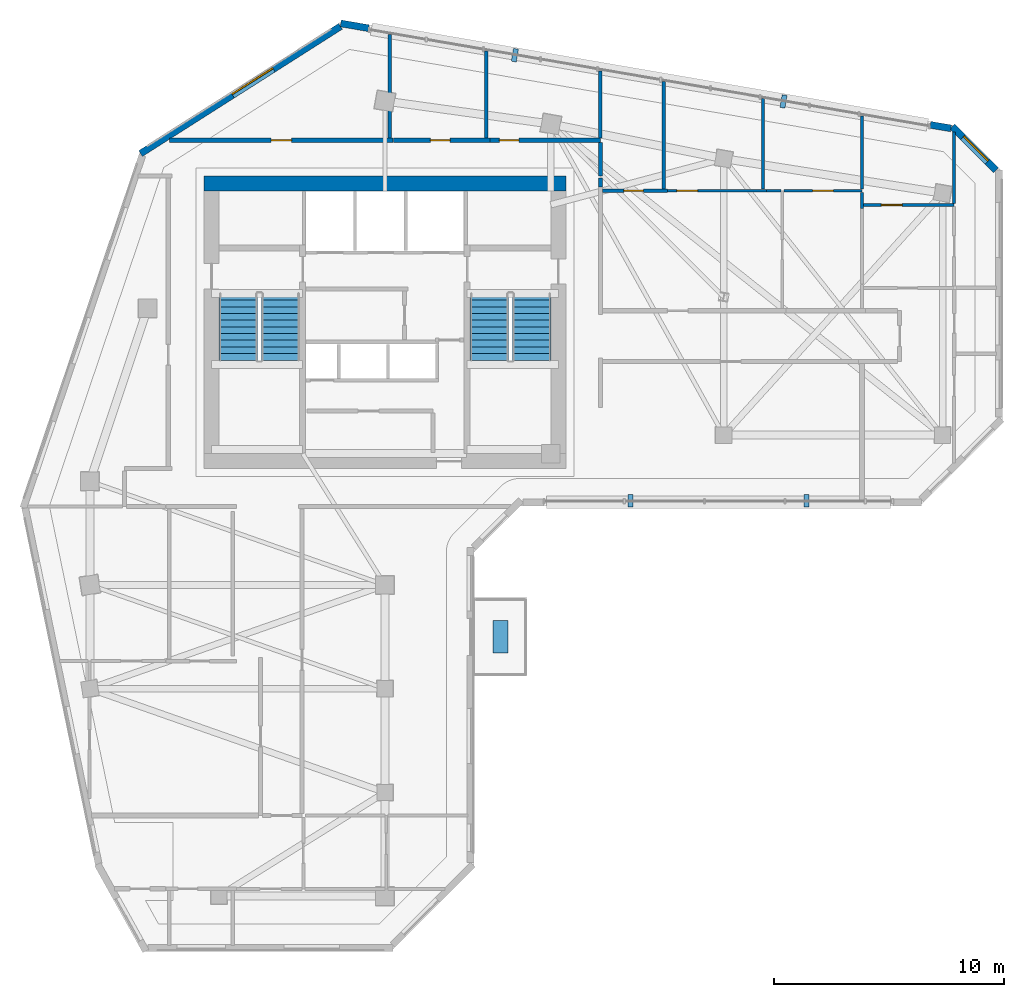
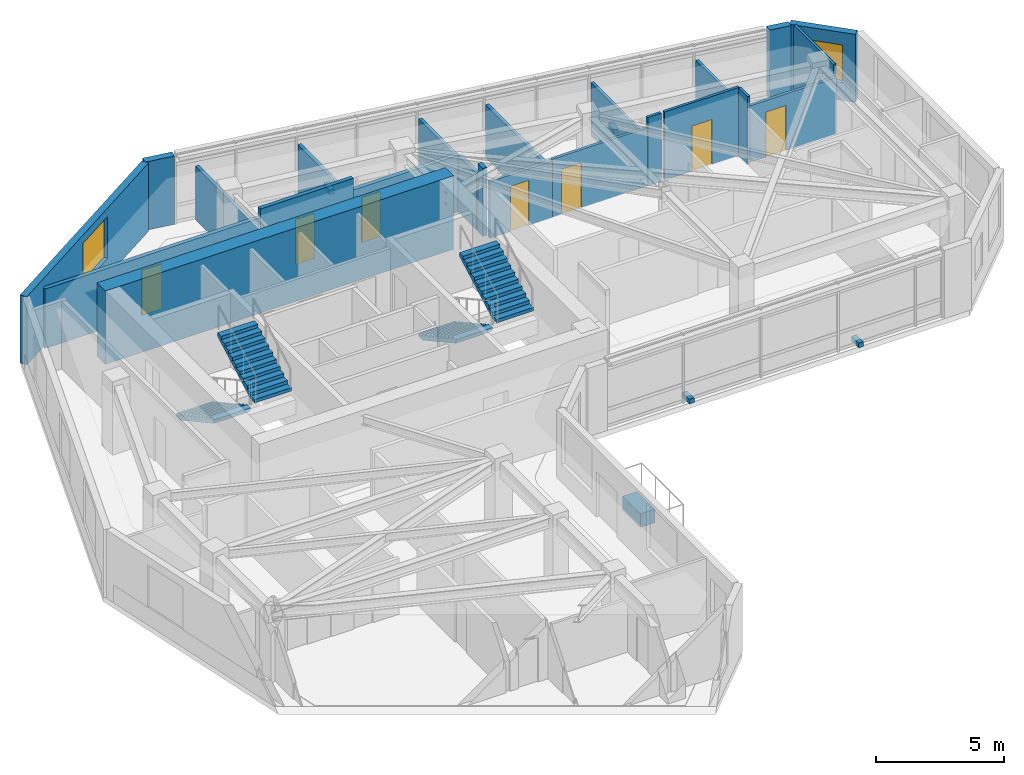
# One storey, part 7 of 10: 23 walls, 7 doors, 5 discrete accessories, 4 stair flights, 2 windows, 9 openings, 2 elements without a shape of their own.
"""IFC4 building model written with IfcOpenShell, lengths in metres."""

from ifc_helpers import new_model, si_unit, direction, frame, frame_2d, origin, origin_2d, place, context, subcontext, project, spatial, polyline, rectangle, outline, extrude, source, transform, mapped, material, layer, layer_set, type_object, element, fill, aggregate, save


model = new_model("IFC4")

# Units and contexts
model_context = context("Model", 3, precision=1e-05, world=origin(), true_north=direction((0.0, 1.0)))
body_context = subcontext(model_context, "Body", "Model", "MODEL_VIEW")
ifc_project = project(units=[si_unit("LENGTHUNIT", "METRE"), si_unit("AREAUNIT", "SQUARE_METRE"), si_unit("VOLUMEUNIT", "CUBIC_METRE"), si_unit("PLANEANGLEUNIT", "RADIAN"), si_unit("MASSUNIT", "GRAM", prefix="KILO")], contexts=[model_context])

# Site, building, storey
site_placement = place(None, origin())
site = spatial("IfcSite", under=ifc_project, at=site_placement, CompositionType="ELEMENT")
building_placement = place(site_placement, origin())
building = spatial("IfcBuilding", under=site, at=building_placement, Name="Calvemar Wedge Station Tower", CompositionType="ELEMENT")
storey_placement = place(building_placement, frame((0.0, 0.0, 193.89990234375)))
storey = spatial("IfcBuildingStorey", under=building, at=storey_placement, Name="L48", CompositionType="ELEMENT", Elevation=193.89990234375)

# Wall
ifc_material_1 = material(Name="Concrete C60", Category="concrete")
ifc_layer_1 = layer(ifc_material_1, 0.64990234375)
ifc_layer_set_1 = layer_set([ifc_layer_1], Name="Concrete C60")
wall_type_1 = type_object("IfcWallType", Name="SW-CORE-650", PredefinedType="SHEAR", material=ifc_layer_set_1)
wall_1_placement = place(storey_placement, frame((15.949951171875, 45.925048828125, 0.0), z_axis=(0.0, 0.0, 1.0), x_axis=(1.0, 0.0, 0.0)))
element("IfcWall", 1, at=wall_1_placement, inside=storey, type_object=wall_type_1, Name="Storey L48 Core Shear Wall N", PredefinedType="SHEAR", context=body_context, shape_type="SweptSolid", body=[
    extrude(rectangle(XDim=15.699951171875, YDim=0.64990234375, at=frame_2d((7.85009765625, 0.0))), origin(), (0.0, 0.0, 1.0), 3.5),
])

# Wall, opening, door
ifc_material_2 = material(Name="Double-stud fire-rated corridor partition")
ifc_layer_2 = layer(ifc_material_2, 0.179931640625)
ifc_layer_set_2 = layer_set([ifc_layer_2], Name="Double-stud fire-rated corridor partition")
wall_type_2 = type_object("IfcWallType", Name="W-CORR-180", PredefinedType="PARTITIONING", material=ifc_layer_set_2)
wall_2_placement = place(storey_placement, frame((14.45263671875, 47.800048828125, 0.0), z_axis=(0.0, 0.0, 1.0), x_axis=(1.0, 0.0, 0.0)))
wall_2 = element("IfcWall", 2, at=wall_2_placement, inside=storey, type_object=wall_type_2, Name="Storey L48 Interior Partition WL-L48-013", PredefinedType="PARTITIONING", context=body_context, shape_type="SweptSolid", body=[
    extrude(rectangle(XDim=9.707275390625, YDim=0.179931640625, at=frame_2d((4.853515625, 0.0))), origin(), (0.0, 0.0, 1.0), 2.835205078125),
])
shared_shape_1 = source(origin(), body_context, "Body", "SweptSolid", [
    extrude(rectangle(XDim=0.89990234375, YDim=2.14990234375, at=frame_2d((0.449951171875, 1.074951171875))), frame((0.0, 0.10009765625, 0.0), z_axis=(0.0, -1.0, 0.0), x_axis=(1.0, 0.0, 0.0)), (0.0, 0.0, 1.0), 0.199951171875),
])
opening_1_placement = place(wall_2_placement, frame((4.40380859375, 0.0, 0.0)))
opening_1 = element("IfcOpeningElement", 3, at=opening_1_placement, cuts=wall_2, Name="Opening D-01", PredefinedType="OPENING", context=body_context, shape_type="MappedRepresentation", body=[
    mapped(shared_shape_1, transform((0.0, 0.0, 0.0), scale=1.0)),
])
ifc_material_3 = material(Name="Architectural hardwood acoustic swing door", Category="wood")
door_type_1 = type_object("IfcDoorType", Name="DR-INT-900", OperationType="NOTDEFINED", PredefinedType="DOOR", material=ifc_material_3)
shared_shape_2 = source(origin(), body_context, "Body", "SweptSolid", [
    extrude(rectangle(XDim=0.89990234375, YDim=2.14990234375, at=frame_2d((0.449951171875, 1.074951171875))), frame((0.0, 0.02490234375, 0.0), z_axis=(0.0, -1.0, 0.0), x_axis=(1.0, 0.0, 0.0)), (0.0, 0.0, 1.0), 0.050048828125),
])
door_1_placement = place(opening_1_placement, origin())
door_1 = element("IfcDoor", 4, at=door_1_placement, inside=storey, type_object=door_type_1, Name="L48 Private Dining Room Door", OperationType="SINGLE_SWING_LEFT", OverallHeight=2.14990234375, OverallWidth=0.89990234375, PredefinedType="DOOR", context=body_context, shape_type="MappedRepresentation", body=[
    mapped(shared_shape_2, transform((0.0, 0.0, 0.0), scale=1.0)),
])
fill(opening_1, door_1)

wall_3_placement = place(storey_placement, frame((24.162109375, 47.800048828125, 0.0), z_axis=(0.0, 0.0, 1.0), x_axis=(1.0, 0.0, 0.0)))
wall_3 = element("IfcWall", 5, at=wall_3_placement, inside=storey, type_object=wall_type_2, Name="Storey L48 Interior Partition WL-L48-014", PredefinedType="PARTITIONING", context=body_context, shape_type="SweptSolid", body=[
    extrude(rectangle(XDim=4.197998046875, YDim=0.179931640625, at=frame_2d((2.09912109375, 0.0))), origin(), (0.0, 0.0, 1.0), 3.25),
])
shared_shape_3 = source(origin(), body_context, "Body", "SweptSolid", [
    extrude(rectangle(XDim=0.85009765625, YDim=2.14990234375, at=frame_2d((0.425048828125, 1.074951171875))), frame((0.0, 0.10009765625, 0.0), z_axis=(0.0, -1.0, 0.0), x_axis=(1.0, 0.0, 0.0)), (0.0, 0.0, 1.0), 0.199951171875),
])
opening_2_placement = place(wall_3_placement, frame((1.61328125, 0.0, 0.0)))
opening_2 = element("IfcOpeningElement", 6, at=opening_2_placement, cuts=wall_3, Name="Opening D-02", PredefinedType="OPENING", context=body_context, shape_type="MappedRepresentation", body=[
    mapped(shared_shape_3, transform((0.0, 0.0, 0.0), scale=1.0)),
])
ifc_material_4 = material(Name="Moisture-sealed bathroom hardwood swing door", Category="wood")
door_type_2 = type_object("IfcDoorType", Name="DR-WET-850", OperationType="NOTDEFINED", PredefinedType="DOOR", material=ifc_material_4)
shared_shape_4 = source(origin(), body_context, "Body", "SweptSolid", [
    extrude(rectangle(XDim=0.85009765625, YDim=2.14990234375, at=frame_2d((0.425048828125, 1.074951171875))), frame((0.0, 0.02490234375, 0.0), z_axis=(0.0, -1.0, 0.0), x_axis=(1.0, 0.0, 0.0)), (0.0, 0.0, 1.0), 0.050048828125),
])
door_2_placement = place(opening_2_placement, origin())
door_2 = element("IfcDoor", 7, at=door_2_placement, inside=storey, type_object=door_type_2, Name="L48 Accessible WC Door", OperationType="SINGLE_SWING_RIGHT", OverallHeight=2.14990234375, OverallWidth=0.85009765625, PredefinedType="DOOR", context=body_context, shape_type="MappedRepresentation", body=[
    mapped(shared_shape_4, transform((0.0, 0.0, 0.0), scale=1.0)),
])
fill(opening_2, door_2)

wall_4_placement = place(storey_placement, frame((28.362060546875, 47.800048828125, 0.0), z_axis=(0.0, 0.0, 1.0), x_axis=(1.0, 0.0, 0.0)))
wall_4 = element("IfcWall", 8, at=wall_4_placement, inside=storey, type_object=wall_type_2, Name="Storey L48 Interior Partition WL-L48-015", PredefinedType="PARTITIONING", context=body_context, shape_type="SweptSolid", body=[
    extrude(rectangle(XDim=4.787841796875, YDim=0.179931640625, at=frame_2d((2.39404296875, 0.0))), origin(), (0.0, 0.0, 1.0), 2.68798828125),
])
opening_3_placement = place(wall_4_placement, frame((0.400634765625, 0.0, 0.0)))
opening_3 = element("IfcOpeningElement", 9, at=opening_3_placement, cuts=wall_4, Name="Opening D-02", PredefinedType="OPENING", context=body_context, shape_type="MappedRepresentation", body=[
    mapped(shared_shape_3, transform((0.0, 0.0, 0.0), scale=1.0)),
])
door_3_placement = place(opening_3_placement, origin())
door_3 = element("IfcDoor", 10, at=door_3_placement, inside=storey, type_object=door_type_2, Name="L48 Storage Room Door", OperationType="SINGLE_SWING_LEFT", OverallHeight=2.14990234375, OverallWidth=0.85009765625, PredefinedType="DOOR", context=body_context, shape_type="MappedRepresentation", body=[
    mapped(shared_shape_4, transform((0.0, 0.0, 0.0), scale=1.0)),
])
fill(opening_3, door_3)

# Walls
wall_5_placement = place(storey_placement, frame((33.14990234375, 47.7060546875, 0.0), z_axis=(0.0, 0.0, 1.0), x_axis=(0.0, -1.0, 0.0)))
element("IfcWall", 11, at=wall_5_placement, inside=storey, type_object=wall_type_2, Name="Storey L48 Interior Partition WL-L48-016", PredefinedType="PARTITIONING", context=body_context, shape_type="SweptSolid", body=[
    extrude(rectangle(XDim=1.4560546875, YDim=0.179931640625, at=frame_2d((0.72802734375, 0.0))), origin(), (0.0, 0.0, 1.0), 2.68798828125),
])
wall_6_placement = place(storey_placement, frame((33.14990234375, 46.156005859375, 0.0), z_axis=(0.0, 0.0, 1.0), x_axis=(0.0, -1.0, 0.0)))
element("IfcWall", 12, at=wall_6_placement, inside=storey, type_object=wall_type_2, Name="Storey L48 Interior Partition WL-L48-018", PredefinedType="PARTITIONING", context=body_context, shape_type="SweptSolid", body=[
    extrude(rectangle(XDim=0.387939453125, YDim=0.179931640625, at=frame_2d((0.19384765625, 0.0))), origin(), (0.0, 0.0, 1.0), 3.25),
])

# Wall, opening, window
ifc_material_5 = material(Name="Precast concrete C45", Category="concrete")
ifc_layer_3 = layer(ifc_material_5, 0.300048828125)
ifc_layer_set_3 = layer_set([ifc_layer_3], Name="Precast concrete C45")
wall_type_3 = type_object("IfcWallType", Name="W-EXT-GFRC-300", PredefinedType="SOLIDWALL", material=ifc_layer_set_3)
wall_7_placement = place(storey_placement, frame((50.31201171875, 46.5, 0.0), z_axis=(0.0, 0.0, 1.0), x_axis=(-0.707106781187, 0.707106781187, 0.0)))
wall_7 = element("IfcWall", 13, at=wall_7_placement, inside=storey, type_object=wall_type_3, Name="Storey L48 Bronze GFRC Exterior Wall 9", PredefinedType="SOLIDWALL", context=body_context, shape_type="SweptSolid", body=[
    extrude(rectangle(XDim=2.67333984375, YDim=0.300048828125, at=frame_2d((1.336669921875, 0.0))), origin(), (0.0, 0.0, 1.0), 3.25),
])
shared_shape_5 = source(origin(), body_context, "Body", "SweptSolid", [
    extrude(rectangle(XDim=1.5, YDim=1.800048828125, at=frame_2d((0.75, 0.89990234375))), frame((0.0, 0.16015625, 0.0), z_axis=(0.0, -1.0, 0.0), x_axis=(1.0, 0.0, 0.0)), (0.0, 0.0, 1.0), 0.320068359375),
])
opening_4_placement = place(wall_7_placement, frame((0.52392578125, 0.0, 0.85009765625)))
opening_4 = element("IfcOpeningElement", 14, at=opening_4_placement, cuts=wall_7, Name="Opening W3", PredefinedType="OPENING", context=body_context, shape_type="MappedRepresentation", body=[
    mapped(shared_shape_5, transform((0.0, 0.0, 0.0), scale=1.0)),
])
ifc_material_6 = material(Name="Low-E laminated insulated glass", Category="glass")
window_type_1 = type_object("IfcWindowType", Name="WIN-EXT-3", PartitioningType="SINGLE_PANEL", PredefinedType="WINDOW", material=ifc_material_6)
shared_shape_6 = source(origin(), body_context, "Body", "SweptSolid", [
    extrude(rectangle(XDim=1.5, YDim=1.800048828125, at=frame_2d((0.75, 0.89990234375))), frame((0.0, -0.014892578125, 0.0), z_axis=(0.0, -1.0, 0.0), x_axis=(1.0, 0.0, 0.0)), (0.0, 0.0, 1.0), 0.06005859375),
])
window_1_placement = place(opening_4_placement, origin())
window_1 = element("IfcWindow", 15, at=window_1_placement, inside=storey, type_object=window_type_1, Name="Storey L48 Recessed Window 9.1", OverallHeight=1.800048828125, OverallWidth=1.5, PartitioningType="SINGLE_PANEL", PredefinedType="WINDOW", context=body_context, shape_type="MappedRepresentation", body=[
    mapped(shared_shape_6, transform((0.0, 0.0, 0.0), scale=1.0)),
])
fill(opening_4, window_1)

# Walls
wall_8_placement = place(storey_placement, frame((48.361083984375, 48.31298828125, 0.0), z_axis=(0.0, 0.0, 1.0), x_axis=(-0.985560806516, 0.169321872949, 0.0)))
element("IfcWall", 16, at=wall_8_placement, inside=storey, type_object=wall_type_3, Name="Storey L48 Bronze GFRC Corner Pier 10A", PredefinedType="SOLIDWALL", context=body_context, shape_type="SweptSolid", body=[
    extrude(rectangle(XDim=0.908447265625, YDim=0.300048828125, at=frame_2d((0.4541015625, 0.0))), origin(), (0.0, 0.0, 1.0), 3.25),
])
wall_9_placement = place(storey_placement, frame((23.093505859375, 52.65966796875, 0.0), z_axis=(0.0, 0.0, 1.0), x_axis=(-0.985503719785, 0.169653818966, 0.0)))
element("IfcWall", 17, at=wall_9_placement, inside=storey, type_object=wall_type_3, Name="Storey L48 Bronze GFRC Corner Pier 10B", PredefinedType="SOLIDWALL", context=body_context, shape_type="SweptSolid", body=[
    extrude(rectangle(XDim=1.2275390625, YDim=0.300048828125, at=frame_2d((0.61376953125, 0.0))), origin(), (0.0, 0.0, 1.0), 3.25),
])

# Wall, opening, window
wall_10_placement = place(storey_placement, frame((21.87451171875, 52.7421875, 0.0), z_axis=(0.0, 0.0, 1.0), x_axis=(-0.843666375448, -0.536867811419, 0.0)))
wall_10 = element("IfcWall", 18, at=wall_10_placement, inside=storey, type_object=wall_type_3, Name="Storey L48 Bronze GFRC Exterior Wall 11", PredefinedType="SOLIDWALL", context=body_context, shape_type="SweptSolid", body=[
    extrude(rectangle(XDim=10.28369140625, YDim=0.300048828125, at=frame_2d((5.141845703125, 0.0))), origin(), (0.0, 0.0, 1.0), 3.25),
])
shared_shape_7 = source(origin(), body_context, "Body", "SweptSolid", [
    extrude(rectangle(XDim=2.10009765625, YDim=2.0, at=frame_2d((1.050048828125, 1.0))), frame((0.0, 0.16015625, 0.0), z_axis=(0.0, -1.0, 0.0), x_axis=(1.0, 0.0, 0.0)), (0.0, 0.0, 1.0), 0.320068359375),
])
opening_5_placement = place(wall_10_placement, frame((3.45703125, 0.0, 0.85009765625)))
opening_5 = element("IfcOpeningElement", 19, at=opening_5_placement, cuts=wall_10, Name="Opening W4", PredefinedType="OPENING", context=body_context, shape_type="MappedRepresentation", body=[
    mapped(shared_shape_7, transform((0.0, 0.0, 0.0), scale=1.0)),
])
window_type_2 = type_object("IfcWindowType", Name="WIN-EXT-4", PartitioningType="SINGLE_PANEL", PredefinedType="WINDOW", material=ifc_material_6)
shared_shape_8 = source(origin(), body_context, "Body", "SweptSolid", [
    extrude(rectangle(XDim=2.10009765625, YDim=2.0, at=frame_2d((1.050048828125, 1.0))), frame((0.0, -0.014892578125, 0.0), z_axis=(0.0, -1.0, 0.0), x_axis=(1.0, 0.0, 0.0)), (0.0, 0.0, 1.0), 0.06005859375),
])
window_2_placement = place(opening_5_placement, origin())
window_2 = element("IfcWindow", 20, at=window_2_placement, inside=storey, type_object=window_type_2, Name="Storey L48 Recessed Window 11.1", OverallHeight=2.0, OverallWidth=2.10009765625, PartitioningType="SINGLE_PANEL", PredefinedType="WINDOW", context=body_context, shape_type="MappedRepresentation", body=[
    mapped(shared_shape_8, transform((0.0, 0.0, 0.0), scale=1.0)),
])
fill(opening_5, window_2)

# Wall, opening, door
ifc_material_7 = material(Name="Insulated acoustic gypsum stud partition")
ifc_layer_4 = layer(ifc_material_7, 0.125)
ifc_layer_set_4 = layer_set([ifc_layer_4], Name="Insulated acoustic gypsum stud partition")
wall_type_4 = type_object("IfcWallType", Name="W-PART-125", PredefinedType="PARTITIONING", material=ifc_layer_set_4)
wall_11_placement = place(storey_placement, frame((36.06201171875, 45.60595703125, 0.0), z_axis=(0.0, 0.0, 1.0), x_axis=(1.0, 0.0, 0.0)))
wall_11 = element("IfcWall", 21, at=wall_11_placement, inside=storey, type_object=wall_type_4, Name="Storey L48 Interior Partition WL-L48-032", PredefinedType="PARTITIONING", context=body_context, shape_type="SweptSolid", body=[
    extrude(rectangle(XDim=4.298095703125, YDim=0.125, at=frame_2d((2.14892578125, 0.0))), origin(), (0.0, 0.0, 1.0), 2.76611328125),
])
shared_shape_9 = source(origin(), body_context, "Body", "SweptSolid", [
    extrude(rectangle(XDim=0.89990234375, YDim=2.14990234375, at=frame_2d((0.449951171875, 1.074951171875))), frame((0.0, 0.072509765625, 0.0), z_axis=(0.0, -1.0, 0.0), x_axis=(1.0, 0.0, 0.0)), (0.0, 0.0, 1.0), 0.14501953125),
])
opening_6_placement = place(wall_11_placement, frame((0.4033203125, 0.0, 0.0)))
opening_6 = element("IfcOpeningElement", 22, at=opening_6_placement, cuts=wall_11, Name="Opening D-01", PredefinedType="OPENING", context=body_context, shape_type="MappedRepresentation", body=[
    mapped(shared_shape_9, transform((0.0, 0.0, 0.0), scale=1.0)),
])
door_4_placement = place(opening_6_placement, origin())
door_4 = element("IfcDoor", 23, at=door_4_placement, inside=storey, type_object=door_type_1, Name="L48 Master Bedroom Door", OperationType="SINGLE_SWING_LEFT", OverallHeight=2.14990234375, OverallWidth=0.89990234375, PredefinedType="DOOR", context=body_context, shape_type="MappedRepresentation", body=[
    mapped(shared_shape_2, transform((0.0, 0.0, 0.0), scale=1.0)),
])
fill(opening_6, door_4)

# Wall
wall_12_placement = place(storey_placement, frame((40.362060546875, 45.60595703125, 0.0), z_axis=(0.0, 0.0, 1.0), x_axis=(1.0, 0.0, 0.0)))
element("IfcWall", 24, at=wall_12_placement, inside=storey, type_object=wall_type_4, Name="Storey L48 Interior Partition WL-L48-033", PredefinedType="PARTITIONING", context=body_context, shape_type="SweptSolid", body=[
    extrude(rectangle(XDim=0.613525390625, YDim=0.125, at=frame_2d((0.306640625, 0.0))), origin(), (0.0, 0.0, 1.0), 3.25),
])

# Wall, opening, door
wall_13_placement = place(storey_placement, frame((41.1083984375, 45.60595703125, 0.0), z_axis=(0.0, 0.0, 1.0), x_axis=(1.0, 0.0, 0.0)))
wall_13 = element("IfcWall", 25, at=wall_13_placement, inside=storey, type_object=wall_type_4, Name="Storey L48 Interior Partition WL-L48-034", PredefinedType="PARTITIONING", context=body_context, shape_type="SweptSolid", body=[
    extrude(rectangle(XDim=3.3916015625, YDim=0.125, at=frame_2d((1.69580078125, 0.0))), origin(), (0.0, 0.0, 1.0), 3.25),
])
opening_7_placement = place(wall_13_placement, frame((1.245849609375, 0.0, 0.0)))
opening_7 = element("IfcOpeningElement", 26, at=opening_7_placement, cuts=wall_13, Name="Opening D-01", PredefinedType="OPENING", context=body_context, shape_type="MappedRepresentation", body=[
    mapped(shared_shape_9, transform((0.0, 0.0, 0.0), scale=1.0)),
])
door_5_placement = place(opening_7_placement, origin())
door_5 = element("IfcDoor", 27, at=door_5_placement, inside=storey, type_object=door_type_1, Name="L48 Master Bedroom Door", OperationType="SINGLE_SWING_RIGHT", OverallHeight=2.14990234375, OverallWidth=0.89990234375, PredefinedType="DOOR", context=body_context, shape_type="MappedRepresentation", body=[
    mapped(shared_shape_2, transform((0.0, 0.0, 0.0), scale=1.0)),
])
fill(opening_7, door_5)

# Walls
wall_14_placement = place(storey_placement, frame((44.5, 45.53955078125, 0.0), z_axis=(0.0, 0.0, 1.0), x_axis=(0.0, -1.0, 0.0)))
element("IfcWall", 28, at=wall_14_placement, inside=storey, type_object=wall_type_4, Name="Storey L48 Interior Partition WL-L48-035", PredefinedType="PARTITIONING", context=body_context, shape_type="SweptSolid", body=[
    extrude(rectangle(XDim=0.71044921875, YDim=0.125, at=frame_2d((0.355224609375, 0.0))), origin(), (0.0, 0.0, 1.0), 3.25),
])
wall_15_placement = place(storey_placement, frame((40.199951171875, 49.60009765625, 0.0), z_axis=(0.0, 0.0, 1.0), x_axis=(0.0, -1.0, 0.0)))
element("IfcWall", 29, at=wall_15_placement, inside=storey, type_object=wall_type_4, Name="Storey L48 Interior Partition WL-L48-039", PredefinedType="PARTITIONING", context=body_context, shape_type="SweptSolid", body=[
    extrude(rectangle(XDim=3.927490234375, YDim=0.125, at=frame_2d((1.9638671875, 0.0))), origin(), (0.0, 0.0, 1.0), 2.5419921875),
])
wall_16_placement = place(storey_placement, frame((44.5, 48.8603515625, 0.0), z_axis=(0.0, 0.0, 1.0), x_axis=(0.0, -1.0, 0.0)))
element("IfcWall", 30, at=wall_16_placement, inside=storey, type_object=wall_type_4, Name="Storey L48 Interior Partition WL-L48-040", PredefinedType="PARTITIONING", context=body_context, shape_type="SweptSolid", body=[
    extrude(rectangle(XDim=3.187744140625, YDim=0.125, at=frame_2d((1.59375, 0.0))), origin(), (0.0, 0.0, 1.0), 2.5419921875),
])

# Wall, opening, door
wall_17_placement = place(storey_placement, frame((48.5, 44.989013671875, 0.0), z_axis=(0.0, 0.0, 1.0), x_axis=(-1.0, 0.0, 0.0)))
wall_17 = element("IfcWall", 31, at=wall_17_placement, inside=storey, type_object=wall_type_4, Name="Storey L48 Interior Partition WL-L48-041", PredefinedType="PARTITIONING", context=body_context, shape_type="SweptSolid", body=[
    extrude(rectangle(XDim=3.93359375, YDim=0.125, at=frame_2d((1.966796875, 0.0))), origin(), (0.0, 0.0, 1.0), 2.68798828125),
])
opening_8_placement = place(wall_17_placement, frame((2.2587890625, 0.0, 0.0)))
opening_8 = element("IfcOpeningElement", 32, at=opening_8_placement, cuts=wall_17, Name="Opening D-01", PredefinedType="OPENING", context=body_context, shape_type="MappedRepresentation", body=[
    mapped(shared_shape_9, transform((0.0, 0.0, 0.0), scale=1.0)),
])
door_6_placement = place(opening_8_placement, origin())
door_6 = element("IfcDoor", 33, at=door_6_placement, inside=storey, type_object=door_type_1, Name="L48 Study Door", OperationType="SINGLE_SWING_LEFT", OverallHeight=2.14990234375, OverallWidth=0.89990234375, PredefinedType="DOOR", context=body_context, shape_type="MappedRepresentation", body=[
    mapped(shared_shape_2, transform((0.0, 0.0, 0.0), scale=1.0)),
])
fill(opening_8, door_6)

# Walls
wall_18_placement = place(storey_placement, frame((48.5, 48.149169921875, 0.0), z_axis=(0.0, 0.0, 1.0), x_axis=(0.0, -1.0, 0.0)))
element("IfcWall", 34, at=wall_18_placement, inside=storey, type_object=wall_type_4, Name="Storey L48 Interior Partition WL-L48-042", PredefinedType="PARTITIONING", context=body_context, shape_type="SweptSolid", body=[
    extrude(rectangle(XDim=3.09375, YDim=0.125, at=frame_2d((1.546875, 0.0))), origin(), (0.0, 0.0, 1.0), 3.25),
])
ifc_material_8 = material(Name="Moisture-resistant acoustic bathroom partition")
ifc_layer_5 = layer(ifc_material_8, 0.14990234375)
ifc_layer_set_5 = layer_set([ifc_layer_5], Name="Moisture-resistant acoustic bathroom partition")
wall_type_5 = type_object("IfcWallType", Name="W-WET-150", PredefinedType="PARTITIONING", material=ifc_layer_set_5)
wall_19_placement = place(storey_placement, frame((24.0, 52.386962890625, 0.0), z_axis=(0.0, 0.0, 1.0), x_axis=(0.0, -1.0, 0.0)))
element("IfcWall", 35, at=wall_19_placement, inside=storey, type_object=wall_type_5, Name="Storey L48 Interior Partition WL-L48-021", PredefinedType="PARTITIONING", context=body_context, shape_type="SweptSolid", body=[
    extrude(rectangle(XDim=4.492919921875, YDim=0.14990234375, at=frame_2d((2.24658203125, 0.0))), origin(), (0.0, 0.0, 1.0), 2.5419921875),
])
wall_20_placement = place(storey_placement, frame((28.199951171875, 51.66455078125, 0.0), z_axis=(0.0, 0.0, 1.0), x_axis=(0.0, -1.0, 0.0)))
element("IfcWall", 36, at=wall_20_placement, inside=storey, type_object=wall_type_5, Name="Storey L48 Interior Partition WL-L48-022", PredefinedType="PARTITIONING", context=body_context, shape_type="SweptSolid", body=[
    extrude(rectangle(XDim=3.7705078125, YDim=0.14990234375, at=frame_2d((1.88525390625, 0.0))), origin(), (0.0, 0.0, 1.0), 2.5419921875),
])
wall_21_placement = place(storey_placement, frame((33.14990234375, 50.81298828125, 0.0), z_axis=(0.0, 0.0, 1.0), x_axis=(0.0, -1.0, 0.0)))
element("IfcWall", 37, at=wall_21_placement, inside=storey, type_object=wall_type_5, Name="Storey L48 Interior Partition WL-L48-023", PredefinedType="PARTITIONING", context=body_context, shape_type="SweptSolid", body=[
    extrude(rectangle(XDim=2.9189453125, YDim=0.14990234375, at=frame_2d((1.45947265625, 0.0))), origin(), (0.0, 0.0, 1.0), 2.5419921875),
])

# Wall, opening, door
wall_22_placement = place(storey_placement, frame((33.243896484375, 45.60595703125, 0.0), z_axis=(0.0, 0.0, 1.0), x_axis=(1.0, 0.0, 0.0)))
wall_22 = element("IfcWall", 38, at=wall_22_placement, inside=storey, type_object=wall_type_5, Name="Storey L48 Interior Partition WL-L48-031", PredefinedType="PARTITIONING", context=body_context, shape_type="SweptSolid", body=[
    extrude(rectangle(XDim=2.816162109375, YDim=0.14990234375, at=frame_2d((1.408203125, 0.0))), origin(), (0.0, 0.0, 1.0), 2.68798828125),
])
shared_shape_10 = source(origin(), body_context, "Body", "SweptSolid", [
    extrude(rectangle(XDim=0.85009765625, YDim=2.14990234375, at=frame_2d((0.425048828125, 1.074951171875))), frame((0.0, 0.0849609375, 0.0), z_axis=(0.0, -1.0, 0.0), x_axis=(1.0, 0.0, 0.0)), (0.0, 0.0, 1.0), 0.169921875),
])
opening_9_placement = place(wall_22_placement, frame((0.919189453125, 0.0, 0.0)))
opening_9 = element("IfcOpeningElement", 39, at=opening_9_placement, cuts=wall_22, Name="Opening D-02", PredefinedType="OPENING", context=body_context, shape_type="MappedRepresentation", body=[
    mapped(shared_shape_10, transform((0.0, 0.0, 0.0), scale=1.0)),
])
door_7_placement = place(opening_9_placement, origin())
door_7 = element("IfcDoor", 40, at=door_7_placement, inside=storey, type_object=door_type_2, Name="L48 Bathroom Door", OperationType="SINGLE_SWING_RIGHT", OverallHeight=2.14990234375, OverallWidth=0.85009765625, PredefinedType="DOOR", context=body_context, shape_type="MappedRepresentation", body=[
    mapped(shared_shape_4, transform((0.0, 0.0, 0.0), scale=1.0)),
])
fill(opening_9, door_7)

# Wall
wall_23_placement = place(storey_placement, frame((35.89990234375, 50.33984375, 0.0), z_axis=(0.0, 0.0, 1.0), x_axis=(0.0, -1.0, 0.0)))
element("IfcWall", 41, at=wall_23_placement, inside=storey, type_object=wall_type_5, Name="Storey L48 Interior Partition WL-L48-038", PredefinedType="PARTITIONING", context=body_context, shape_type="SweptSolid", body=[
    extrude(rectangle(XDim=4.65478515625, YDim=0.14990234375, at=frame_2d((2.327392578125, 0.0))), origin(), (0.0, 0.0, 1.0), 2.5419921875),
])

# Stair, stair flights
ifc_material_9 = material(Name="Concrete C45", Category="concrete")
stair_type = type_object("IfcStairType", Name="ST-TYPE-3500", PredefinedType="HALF_TURN_STAIR", material=ifc_material_9)
stair_1_placement = place(storey_placement, origin())
stair_1 = element("IfcStair", 42, at=stair_1_placement, inside=storey, type_object=stair_type, Name="L48 Pressurized Core Exit Stair ST-C1", PredefinedType="HALF_TURN_STAIR")
stair_flight_type = type_object("IfcStairFlightType", Name="STF-TYPE-3500", PredefinedType="STRAIGHT", material=ifc_material_9)
stair_flight_1_placement = place(storey_placement, frame((17.429931640625, 41.14990234375, 0.0), z_axis=(0.0, 0.0, 1.0), x_axis=(0.0, -1.0, 0.0)))
stair_flight_1 = element("IfcStairFlight", 43, at=stair_flight_1_placement, type_object=stair_flight_type, Name="ST-C1 flight 1", NumberOfRisers=11, NumberOfTreads=10, PredefinedType="STRAIGHT", RiserHeight=0.159090909, TreadLength=0.29, context=body_context, shape_type="SweptSolid", body=[
    extrude(outline(polyline([(0.0, 0.0), (0.0, 0.1591796875), (0.2900390625, 0.1591796875), (0.2900390625, 0.318115234375), (0.580078125, 0.318115234375), (0.580078125, 0.477294921875), (0.8701171875, 0.477294921875), (0.8701171875, 0.636474609375), (1.159912109375, 0.636474609375), (1.159912109375, 0.79541015625), (1.449951171875, 0.79541015625), (1.449951171875, 0.95458984375), (1.739990234375, 0.95458984375), (1.739990234375, 1.113525390625), (2.030029296875, 1.113525390625), (2.030029296875, 1.272705078125), (2.320068359375, 1.272705078125), (2.320068359375, 1.431884765625), (2.610107421875, 1.431884765625), (2.610107421875, 1.5908203125), (2.89990234375, 1.5908203125), (2.89990234375, 1.75), (2.89990234375, 1.419921875), (0.311767578125, 0.0), (0.0, 0.0)])), frame((0.0, 0.830078125, 0.0), z_axis=(0.0, -1.0, 0.0), x_axis=(1.0, 0.0, 0.0)), (0.0, 0.0, 1.0), 1.659912109375),
])
stair_flight_2_placement = place(storey_placement, frame((19.27001953125, 38.25, 1.75), z_axis=(0.0, 0.0, 1.0), x_axis=(0.0, 1.0, 0.0)))
stair_flight_2 = element("IfcStairFlight", 44, at=stair_flight_2_placement, type_object=stair_flight_type, Name="ST-C1 flight 2", NumberOfRisers=11, NumberOfTreads=10, PredefinedType="STRAIGHT", RiserHeight=0.159090909, TreadLength=0.29, context=body_context, shape_type="SweptSolid", body=[
    extrude(outline(polyline([(0.0, 0.0), (0.0, 0.1591796875), (0.2900390625, 0.1591796875), (0.2900390625, 0.318115234375), (0.580078125, 0.318115234375), (0.580078125, 0.477294921875), (0.8701171875, 0.477294921875), (0.8701171875, 0.636474609375), (1.159912109375, 0.636474609375), (1.159912109375, 0.79541015625), (1.449951171875, 0.79541015625), (1.449951171875, 0.95458984375), (1.739990234375, 0.95458984375), (1.739990234375, 1.113525390625), (2.030029296875, 1.113525390625), (2.030029296875, 1.272705078125), (2.320068359375, 1.272705078125), (2.320068359375, 1.431884765625), (2.610107421875, 1.431884765625), (2.610107421875, 1.5908203125), (2.89990234375, 1.5908203125), (2.89990234375, 1.75), (2.89990234375, 1.419921875), (0.311767578125, 0.0), (0.0, 0.0)])), frame((0.0, 0.830078125, 0.0), z_axis=(0.0, -1.0, 0.0), x_axis=(1.0, 0.0, 0.0)), (0.0, 0.0, 1.0), 1.659912109375),
])
aggregate(stair_1, [stair_flight_1, stair_flight_2])

stair_2_placement = place(storey_placement, origin())
stair_2 = element("IfcStair", 45, at=stair_2_placement, inside=storey, type_object=stair_type, Name="L48 Pressurized Core Exit Stair ST-C2", PredefinedType="HALF_TURN_STAIR")
stair_flight_3_placement = place(storey_placement, frame((28.330078125, 41.14990234375, 0.0), z_axis=(0.0, 0.0, 1.0), x_axis=(0.0, -1.0, 0.0)))
stair_flight_3 = element("IfcStairFlight", 46, at=stair_flight_3_placement, type_object=stair_flight_type, Name="ST-C2 flight 1", NumberOfRisers=11, NumberOfTreads=10, PredefinedType="STRAIGHT", RiserHeight=0.159090909, TreadLength=0.29, context=body_context, shape_type="SweptSolid", body=[
    extrude(outline(polyline([(0.0, 0.0), (0.0, 0.1591796875), (0.2900390625, 0.1591796875), (0.2900390625, 0.318115234375), (0.580078125, 0.318115234375), (0.580078125, 0.477294921875), (0.8701171875, 0.477294921875), (0.8701171875, 0.636474609375), (1.159912109375, 0.636474609375), (1.159912109375, 0.79541015625), (1.449951171875, 0.79541015625), (1.449951171875, 0.95458984375), (1.739990234375, 0.95458984375), (1.739990234375, 1.113525390625), (2.030029296875, 1.113525390625), (2.030029296875, 1.272705078125), (2.320068359375, 1.272705078125), (2.320068359375, 1.431884765625), (2.610107421875, 1.431884765625), (2.610107421875, 1.5908203125), (2.89990234375, 1.5908203125), (2.89990234375, 1.75), (2.89990234375, 1.419921875), (0.311767578125, 0.0), (0.0, 0.0)])), frame((0.0, 0.830078125, 0.0), z_axis=(0.0, -1.0, 0.0), x_axis=(1.0, 0.0, 0.0)), (0.0, 0.0, 1.0), 1.659912109375),
])
stair_flight_4_placement = place(storey_placement, frame((30.169921875, 38.25, 1.75), z_axis=(0.0, 0.0, 1.0), x_axis=(0.0, 1.0, 0.0)))
stair_flight_4 = element("IfcStairFlight", 47, at=stair_flight_4_placement, type_object=stair_flight_type, Name="ST-C2 flight 2", NumberOfRisers=11, NumberOfTreads=10, PredefinedType="STRAIGHT", RiserHeight=0.159090909, TreadLength=0.29, context=body_context, shape_type="SweptSolid", body=[
    extrude(outline(polyline([(0.0, 0.0), (0.0, 0.1591796875), (0.2900390625, 0.1591796875), (0.2900390625, 0.318115234375), (0.580078125, 0.318115234375), (0.580078125, 0.477294921875), (0.8701171875, 0.477294921875), (0.8701171875, 0.636474609375), (1.159912109375, 0.636474609375), (1.159912109375, 0.79541015625), (1.449951171875, 0.79541015625), (1.449951171875, 0.95458984375), (1.739990234375, 0.95458984375), (1.739990234375, 1.113525390625), (2.030029296875, 1.113525390625), (2.030029296875, 1.272705078125), (2.320068359375, 1.272705078125), (2.320068359375, 1.431884765625), (2.610107421875, 1.431884765625), (2.610107421875, 1.5908203125), (2.89990234375, 1.5908203125), (2.89990234375, 1.75), (2.89990234375, 1.419921875), (0.311767578125, 0.0), (0.0, 0.0)])), frame((0.0, 0.830078125, 0.0), z_axis=(0.0, -1.0, 0.0), x_axis=(1.0, 0.0, 0.0)), (0.0, 0.0, 1.0), 1.659912109375),
])
aggregate(stair_2, [stair_flight_3, stair_flight_4])

# Discrete accessories
ifc_material_10 = material(Name="Stainless steel AISI 316L", Category="steel")
discrete_accessory_type_1 = type_object("IfcDiscreteAccessoryType", Name="BRK-316L", PredefinedType="BRACKET", material=ifc_material_10)
shared_shape_11 = source(origin(), body_context, "Body", "SweptSolid", [
    extrude(rectangle(XDim=0.219970703125, YDim=0.56005859375, at=origin_2d()), origin(), (0.0, 0.0, 1.0), 0.219970703125),
])
for number, where, z_axis, x_axis, name in (
    (48, (34.455810546875, 32.154052734375, 0.0), (0.0, 0.0, 1.0), (1.0, 0.0, 0.0), "Storey L48 Recessed Facade Stainless Bracket 6.1"),
    (49, (42.083740234375, 32.154052734375, 0.0), (0.0, 0.0, 1.0), (1.0, 0.0, 0.0), "Storey L48 Recessed Facade Stainless Bracket 6.2"),
    (50, (41.09521484375, 49.481689453125, 0.0), (0.0, 0.0, 1.0), (-0.985526486983, 0.169521513251, 0.0), "Storey L48 Recessed Facade Stainless Bracket 10.1"),
    (51, (29.43701171875, 51.4873046875, 0.0), (0.0, 0.0, 1.0), (-0.985526486983, 0.169521513251, 0.0), "Storey L48 Recessed Facade Stainless Bracket 10.2"),
):
    element("IfcDiscreteAccessory", number, at=place(storey_placement, frame(where, z_axis=z_axis, x_axis=x_axis)), inside=storey, type_object=discrete_accessory_type_1, Name=name, PredefinedType="BRACKET", context=body_context, shape_type="MappedRepresentation", body=[
        mapped(shared_shape_11, transform((0.0, 0.0, 0.0), scale=1.0)),
    ])
discrete_accessory_type_2 = type_object("IfcDiscreteAccessoryType", Name="ACC-PLANTER", PredefinedType="USERDEFINED", material=ifc_material_5)
shared_shape_12 = source(origin(), body_context, "Body", "SweptSolid", [
    extrude(rectangle(XDim=0.64990234375, YDim=1.39990234375, at=origin_2d()), origin(), (0.0, 0.0, 1.0), 0.64990234375),
])
discrete_accessory_placement = place(storey_placement, frame((28.81396484375, 26.25, 0.000244140625), z_axis=(0.0, 0.0, 1.0), x_axis=(1.0, 0.0, 0.0)))
element("IfcDiscreteAccessory", 52, at=discrete_accessory_placement, inside=storey, type_object=discrete_accessory_type_2, Name="Storey L48 Planted Terrace GFRC Planter", ObjectType="PLANTER", PredefinedType="USERDEFINED", context=body_context, shape_type="MappedRepresentation", body=[
    mapped(shared_shape_12, transform((0.0, 0.0, 0.0), scale=1.0)),
])

save(model, "model.ifc")
